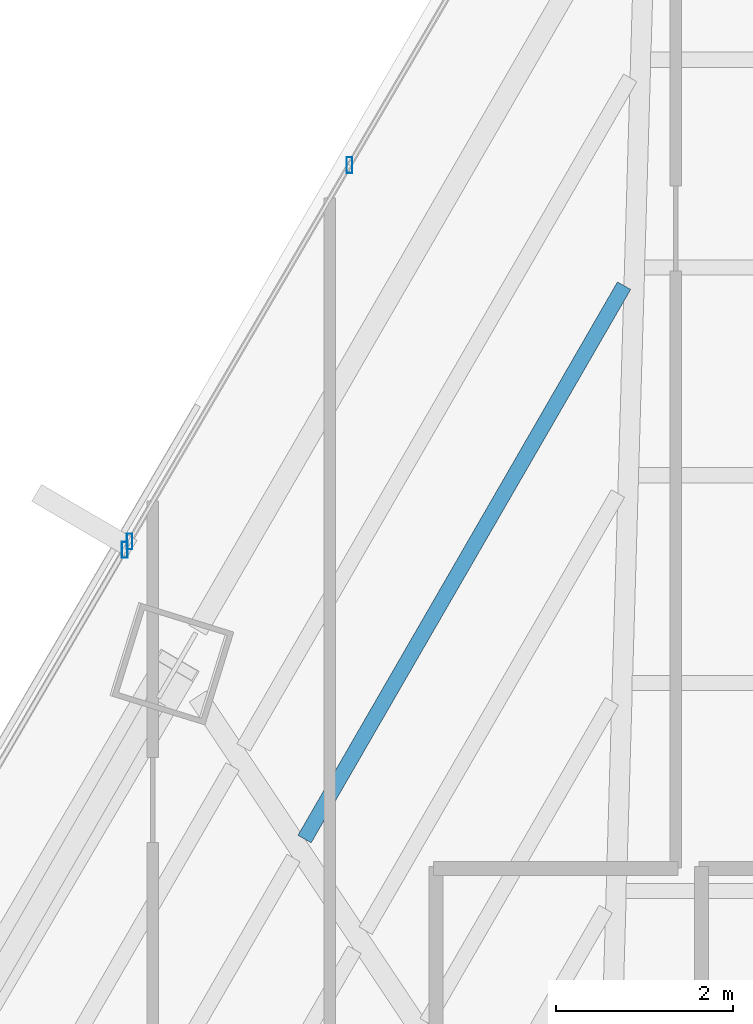
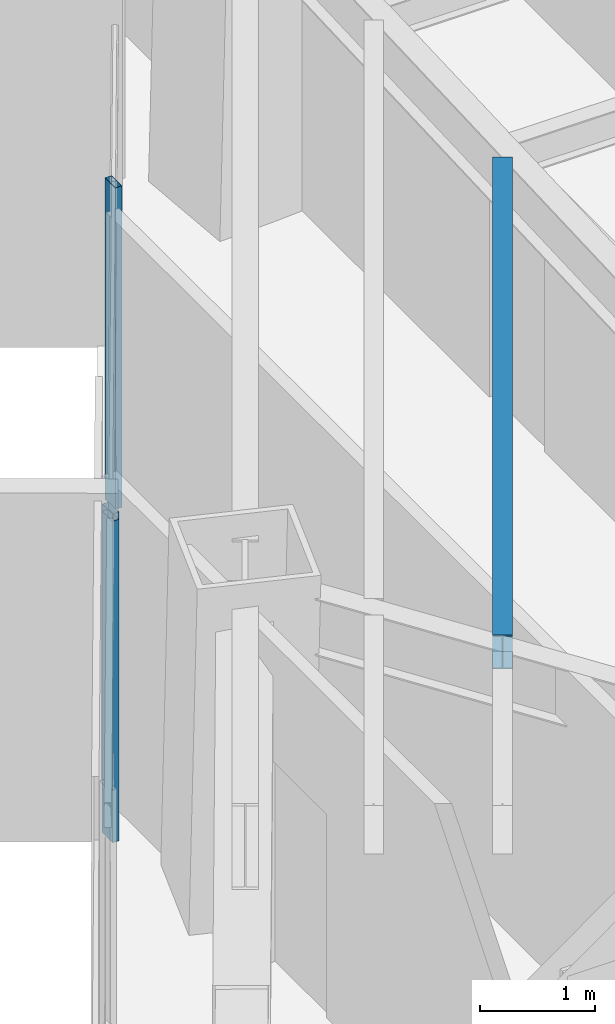
# One storey, part 25 of 37: 3 members, 1 beam, 2 elements without a shape of their own.
"""IFC4 building model written with IfcOpenShell, lengths in metres."""

from ifc_helpers import new_model, si_unit, direction, frame, origin, origin_2d, place, context, subcontext, project, spatial, hollow_rectangle, i_section, extrude, source, transform, mapped, material, material_profile, profile_set, type_object, type_shapes, element, aggregate, save


model = new_model("IFC4")

# Units and contexts
model_context = context("Model", 3, precision=1e-05, world=origin(), true_north=direction((0.0, 1.0)))
body_context = subcontext(model_context, "Body", "Model", "MODEL_VIEW")
ifc_project = project(units=[si_unit("LENGTHUNIT", "METRE"), si_unit("AREAUNIT", "SQUARE_METRE"), si_unit("VOLUMEUNIT", "CUBIC_METRE"), si_unit("PLANEANGLEUNIT", "RADIAN"), si_unit("MASSUNIT", "GRAM", prefix="KILO")], contexts=[model_context])

# Site, building, storey
site_placement = place(None, origin())
site = spatial("IfcSite", under=ifc_project, at=site_placement, CompositionType="ELEMENT")
building_placement = place(site_placement, origin())
building = spatial("IfcBuilding", under=site, at=building_placement, Name="Caelisora Broadcast Tower", CompositionType="ELEMENT")
storey_placement = place(building_placement, frame((0.0, 0.0, 120.0)))
storey = spatial("IfcBuildingStorey", under=building, at=storey_placement, Name="L31", CompositionType="ELEMENT", Elevation=120.0)

# Beam
ifc_material_1 = material(Name="Steel Grade 350 (AS/NZS 3679.1)", Category="steel")
ifc_material_profile_1 = material_profile(ifc_material_1, i_section(OverallWidth=0.172119140625, OverallDepth=0.358642578125, WebThickness=0.008056640625, FlangeThickness=0.012939453125, at=origin_2d()), Name="Steel Grade 350 (AS/NZS 3679.1)")
ifc_profile_set_1 = profile_set([ifc_material_profile_1], Name="Steel Grade 350 (AS/NZS 3679.1)")
beam_type = type_object("IfcBeamType", Name="SB02", PredefinedType="JOIST", material=ifc_profile_set_1)
shared_shape_1 = source(origin(), body_context, "Body", "SweptSolid", [
    extrude(i_section(OverallWidth=0.172119140625, OverallDepth=0.358642578125, WebThickness=0.008056640625, FlangeThickness=0.012939453125, at=origin_2d()), origin(), (0.0, 0.0, 1.0), 7.22216796875),
])
type_shapes(beam_type, [shared_shape_1])
beam_placement = place(storey_placement, frame((30.726318359375, 41.5380859375, 3.220703125), z_axis=(-0.499996538125, -0.86602740249, 0.0), x_axis=(0.86602740249, -0.499996538125, 0.0)))
element("IfcBeam", 1, at=beam_placement, inside=storey, type_object=beam_type, Name="L31 beam SB02", PredefinedType="JOIST", context=body_context, shape_type="MappedRepresentation", body=[
    mapped(shared_shape_1, transform((0.0, 0.0, 0.0), scale=1.0)),
])

# Curtain wall, member
ifc_material_2 = material(Name="Unitised Aluminium Insulated Shadow-Box Spandrel Curtain Wall", Category="aluminium")
curtain_wall_type_1 = type_object("IfcCurtainWallType", Name="CW-SP1", PredefinedType="NOTDEFINED", material=ifc_material_2)
curtain_wall_1_placement = place(storey_placement, origin())
curtain_wall_1 = element("IfcCurtainWall", 2, at=curtain_wall_1_placement, inside=storey, type_object=curtain_wall_type_1, Name="L31 curtain wall CW-SP1", PredefinedType="NOTDEFINED")
ifc_material_3 = material(Name="Aluminium 6063-T6 Anodised Terracotta Bronze", Category="aluminium")
ifc_material_profile_2 = material_profile(ifc_material_3, hollow_rectangle(XDim=0.06494140625, YDim=0.179931640625, WallThickness=0.00341796875, at=origin_2d()), Name="Aluminium 6063-T6 Anodised Terracotta Bronze")
ifc_profile_set_2 = profile_set([ifc_material_profile_2], Name="Aluminium 6063-T6 Anodised Terracotta Bronze")
member_type = type_object("IfcMemberType", Name="CWM-02", PredefinedType="MULLION", material=ifc_profile_set_2)
shared_shape_2 = source(origin(), body_context, "Body", "SweptSolid", [
    extrude(hollow_rectangle(XDim=0.06494140625, YDim=0.179931640625, WallThickness=0.00341796875, at=origin_2d()), origin(), (0.0, 0.0, 1.0), 3.39990234375),
])
type_shapes(member_type, [shared_shape_2])
member_1_placement = place(storey_placement, frame((25.08154296875, 38.5517578125, 0.0), z_axis=(0.0, 0.0, 1.0), x_axis=(1.0, 0.0, 0.0)))
member_1 = element("IfcMember", 3, at=member_1_placement, type_object=member_type, Name="L31-CW-B10 mullion #3", PredefinedType="MULLION", context=body_context, shape_type="MappedRepresentation", body=[
    mapped(shared_shape_2, transform((0.0, 0.0, 0.0), scale=1.0)),
])
aggregate(curtain_wall_1, [member_1])

# Curtain wall, members
ifc_material_4 = material(Name="Unitised Aluminium and Low-E Glass Curtain Wall", Category="glass")
curtain_wall_type_2 = type_object("IfcCurtainWallType", Name="CW-Z2", PredefinedType="NOTDEFINED", material=ifc_material_4)
curtain_wall_2_placement = place(storey_placement, origin())
curtain_wall_2 = element("IfcCurtainWall", 4, at=curtain_wall_2_placement, inside=storey, type_object=curtain_wall_type_2, Name="L31 curtain wall CW-Z2", PredefinedType="NOTDEFINED")
member_2_placement = place(storey_placement, frame((25.13720703125, 38.646728515625, 0.0), z_axis=(0.0, 0.0, 1.0), x_axis=(1.0, 0.0, 0.0)))
member_2 = element("IfcMember", 5, at=member_2_placement, type_object=member_type, Name="L31-CW-B11 mullion #0", PredefinedType="MULLION", context=body_context, shape_type="MappedRepresentation", body=[
    mapped(shared_shape_2, transform((0.0, 0.0, 0.0), scale=1.0)),
])
member_3_placement = place(storey_placement, frame((27.622802734375, 42.90087890625, 0.0), z_axis=(0.0, 0.0, 1.0), x_axis=(1.0, 0.0, 0.0)))
member_3 = element("IfcMember", 6, at=member_3_placement, type_object=member_type, Name="L31-CW-B11 mullion #1", PredefinedType="MULLION", context=body_context, shape_type="MappedRepresentation", body=[
    mapped(shared_shape_2, transform((0.0, 0.0, 0.0), scale=1.0)),
])
aggregate(curtain_wall_2, [member_2, member_3])

save(model, "model.ifc")
